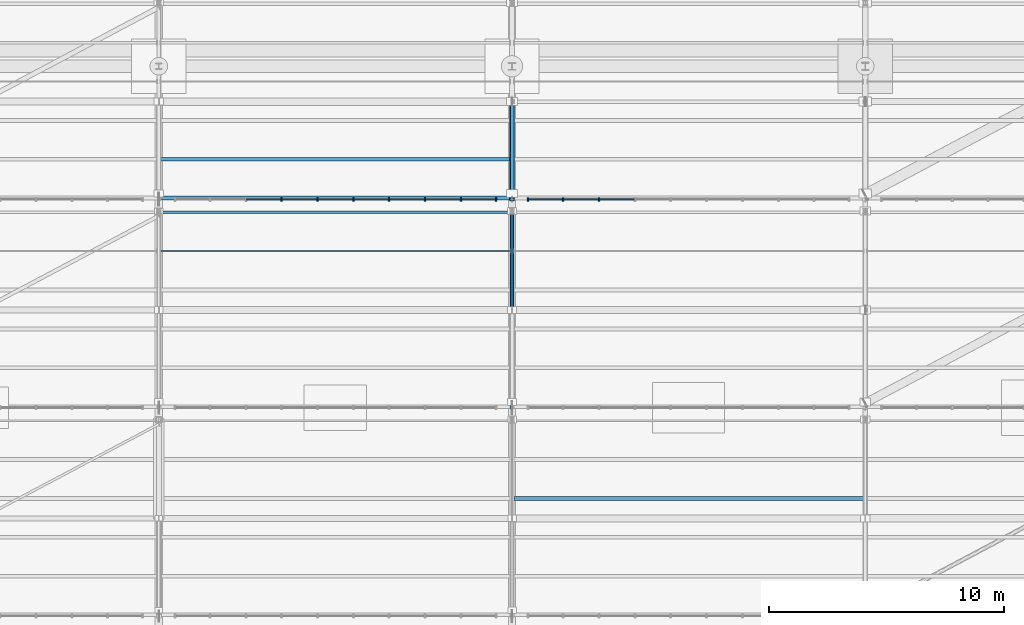
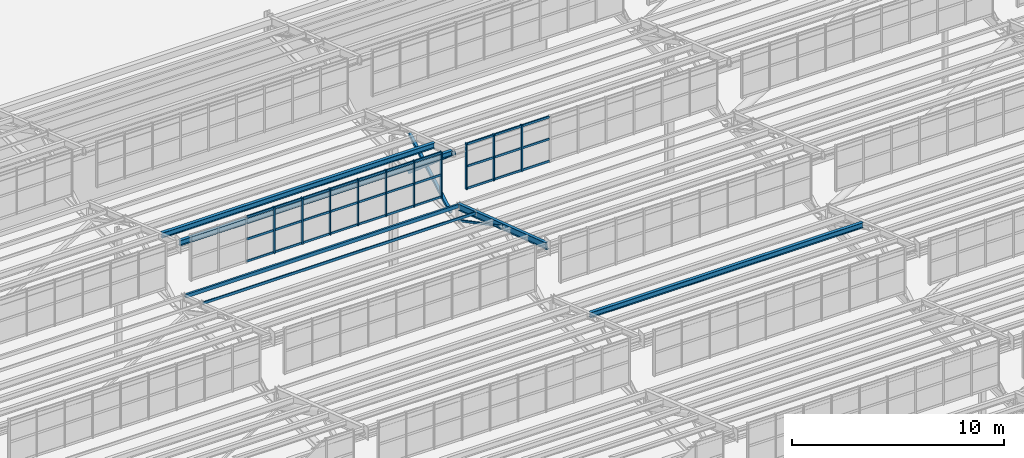
# One storey, part 94 of 285: 43 members, 6 beams, 2 elements without a shape of their own.
"""IFC4 building model written with IfcOpenShell, lengths in metres."""

from ifc_helpers import new_model, si_unit, direction, frame, origin, origin_2d, place, context, subcontext, project, spatial, rectangle, hollow_rectangle, i_section, extrude, material, material_profile, profile_set, type_object, element, aggregate, save


model = new_model("IFC4")

# Units and contexts
model_context = context("Model", 3, precision=1e-05, world=origin(), true_north=direction((0.0, 1.0)))
body_context = subcontext(model_context, "Body", "Model", "MODEL_VIEW")
ifc_project = project(units=[si_unit("LENGTHUNIT", "METRE"), si_unit("AREAUNIT", "SQUARE_METRE"), si_unit("VOLUMEUNIT", "CUBIC_METRE"), si_unit("PLANEANGLEUNIT", "RADIAN"), si_unit("MASSUNIT", "GRAM", prefix="KILO")], contexts=[model_context])

# Site, building, storey
site_placement = place(None, origin())
site = spatial("IfcSite", under=ifc_project, at=site_placement, CompositionType="ELEMENT")
building_placement = place(site_placement, origin())
building = spatial("IfcBuilding", under=site, at=building_placement, Name="Solanera Park Tramway Depot", CompositionType="ELEMENT")
storey_placement = place(building_placement, origin())
storey = spatial("IfcBuildingStorey", under=building, at=storey_placement, Name="L00", CompositionType="ELEMENT", Elevation=0.0)

# Curtain wall, members
ifc_material_1 = material(Name="Bronze-anodised thermally broken aluminium curtain wall", Category="aluminium")
curtain_wall_type = type_object("IfcCurtainWallType", Name="Sawtooth Clerestory Monitor Curtain Wall", PredefinedType="NOTDEFINED", material=ifc_material_1)
curtain_wall_1_placement = place(storey_placement, origin())
curtain_wall_1 = element("IfcCurtainWall", 1, at=curtain_wall_1_placement, inside=storey, type_object=curtain_wall_type, Name="L00 Sawtooth Clerestory Monitor Curtain Wall #047", PredefinedType="NOTDEFINED")
ifc_material_2 = material(Name="Bronze-anodised structural aluminium 6063-T6", Category="aluminium")
ifc_material_profile_1 = material_profile(ifc_material_2, rectangle(XDim=0.06494140625, YDim=0.14990234375, at=origin_2d()), Name="Curtain Wall Mullion 65x150")
ifc_profile_set_1 = profile_set([ifc_material_profile_1], Name="Bronze-anodised structural aluminium 6063-T6")
member_type_1 = type_object("IfcMemberType", Name="Curtain Wall Mullion 65x150", PredefinedType="MULLION", material=ifc_profile_set_1)
member_1_placement = place(storey_placement, frame((65.216796875, 108.85009765625, 7.75), z_axis=(0.0, 0.0, 1.0), x_axis=(1.0, 0.0, 0.0)))
member_1 = element("IfcMember", 2, at=member_1_placement, type_object=member_type_1, Name="CW-L00-047 Mullion 4", PredefinedType="MULLION", context=body_context, shape_type="SweptSolid", body=[
    extrude(rectangle(XDim=0.06494140625, YDim=0.14990234375, at=origin_2d()), origin(), (0.0, 0.0, 1.0), 2.6611328125),
])
member_2_placement = place(storey_placement, frame((66.739013671875, 108.85009765625, 7.75), z_axis=(0.0, 0.0, 1.0), x_axis=(1.0, 0.0, 0.0)))
member_2 = element("IfcMember", 3, at=member_2_placement, type_object=member_type_1, Name="CW-L00-047 Mullion 5", PredefinedType="MULLION", context=body_context, shape_type="SweptSolid", body=[
    extrude(rectangle(XDim=0.06494140625, YDim=0.14990234375, at=origin_2d()), origin(), (0.0, 0.0, 1.0), 2.6611328125),
])
member_3_placement = place(storey_placement, frame((68.260986328125, 108.85009765625, 7.75), z_axis=(0.0, 0.0, 1.0), x_axis=(1.0, 0.0, 0.0)))
member_3 = element("IfcMember", 4, at=member_3_placement, type_object=member_type_1, Name="CW-L00-047 Mullion 6", PredefinedType="MULLION", context=body_context, shape_type="SweptSolid", body=[
    extrude(rectangle(XDim=0.06494140625, YDim=0.14990234375, at=origin_2d()), origin(), (0.0, 0.0, 1.0), 2.6611328125),
])
member_4_placement = place(storey_placement, frame((69.783203125, 108.85009765625, 7.75), z_axis=(0.0, 0.0, 1.0), x_axis=(1.0, 0.0, 0.0)))
member_4 = element("IfcMember", 5, at=member_4_placement, type_object=member_type_1, Name="CW-L00-047 Mullion 7", PredefinedType="MULLION", context=body_context, shape_type="SweptSolid", body=[
    extrude(rectangle(XDim=0.06494140625, YDim=0.14990234375, at=origin_2d()), origin(), (0.0, 0.0, 1.0), 2.6611328125),
])
member_5_placement = place(storey_placement, frame((71.3056640625, 108.85009765625, 7.75), z_axis=(0.0, 0.0, 1.0), x_axis=(1.0, 0.0, 0.0)))
member_5 = element("IfcMember", 6, at=member_5_placement, type_object=member_type_1, Name="CW-L00-047 Mullion 8", PredefinedType="MULLION", context=body_context, shape_type="SweptSolid", body=[
    extrude(rectangle(XDim=0.06494140625, YDim=0.14990234375, at=origin_2d()), origin(), (0.0, 0.0, 1.0), 2.6611328125),
])
member_6_placement = place(storey_placement, frame((72.827880859375, 108.85009765625, 7.75), z_axis=(0.0, 0.0, 1.0), x_axis=(1.0, 0.0, 0.0)))
member_6 = element("IfcMember", 7, at=member_6_placement, type_object=member_type_1, Name="CW-L00-047 Mullion 9", PredefinedType="MULLION", context=body_context, shape_type="SweptSolid", body=[
    extrude(rectangle(XDim=0.06494140625, YDim=0.14990234375, at=origin_2d()), origin(), (0.0, 0.0, 1.0), 2.6611328125),
])
member_7_placement = place(storey_placement, frame((74.3173828125, 108.85009765625, 7.75), z_axis=(0.0, 0.0, 1.0), x_axis=(1.0, 0.0, 0.0)))
member_7 = element("IfcMember", 8, at=member_7_placement, type_object=member_type_1, Name="CW-L00-047 Mullion 10", PredefinedType="MULLION", context=body_context, shape_type="SweptSolid", body=[
    extrude(rectangle(XDim=0.06494140625, YDim=0.14990234375, at=origin_2d()), origin(), (0.0, 0.0, 1.0), 2.6611328125),
])

curtain_wall_2_placement = place(storey_placement, origin())
curtain_wall_2 = element("IfcCurtainWall", 9, at=curtain_wall_2_placement, inside=storey, type_object=curtain_wall_type, Name="L00 Sawtooth Clerestory Monitor Curtain Wall #048", PredefinedType="NOTDEFINED")
member_8_placement = place(storey_placement, frame((75.6826171875, 108.85009765625, 7.75), z_axis=(0.0, 0.0, 1.0), x_axis=(1.0, 0.0, 0.0)))
member_8 = element("IfcMember", 10, at=member_8_placement, type_object=member_type_1, Name="CW-L00-048 Mullion 1", PredefinedType="MULLION", context=body_context, shape_type="SweptSolid", body=[
    extrude(rectangle(XDim=0.06494140625, YDim=0.14990234375, at=origin_2d()), origin(), (0.0, 0.0, 1.0), 2.6611328125),
])
member_9_placement = place(storey_placement, frame((77.172119140625, 108.85009765625, 7.75), z_axis=(0.0, 0.0, 1.0), x_axis=(1.0, 0.0, 0.0)))
member_9 = element("IfcMember", 11, at=member_9_placement, type_object=member_type_1, Name="CW-L00-048 Mullion 2", PredefinedType="MULLION", context=body_context, shape_type="SweptSolid", body=[
    extrude(rectangle(XDim=0.06494140625, YDim=0.14990234375, at=origin_2d()), origin(), (0.0, 0.0, 1.0), 2.6611328125),
])
member_10_placement = place(storey_placement, frame((78.6943359375, 108.85009765625, 7.75), z_axis=(0.0, 0.0, 1.0), x_axis=(1.0, 0.0, 0.0)))
member_10 = element("IfcMember", 12, at=member_10_placement, type_object=member_type_1, Name="CW-L00-048 Mullion 3", PredefinedType="MULLION", context=body_context, shape_type="SweptSolid", body=[
    extrude(rectangle(XDim=0.06494140625, YDim=0.14990234375, at=origin_2d()), origin(), (0.0, 0.0, 1.0), 2.6611328125),
])

# Member
ifc_material_3 = material(Name="Bronze-anodised structural aluminium 6063-T6", Category="aluminium")
ifc_material_profile_2 = material_profile(ifc_material_3, rectangle(XDim=0.06494140625, YDim=0.1201171875, at=origin_2d()), Name="Curtain Wall Transom 65x120")
ifc_profile_set_2 = profile_set([ifc_material_profile_2], Name="Bronze-anodised structural aluminium 6063-T6")
member_type_2 = type_object("IfcMemberType", Name="Curtain Wall Transom 65x120", PredefinedType="USERDEFINED", material=ifc_profile_set_2)
member_11_placement = place(storey_placement, frame((63.722412109375, 108.85009765625, 7.81005859375), z_axis=(1.0, 0.0, 0.0), x_axis=(0.0, 1.0, 0.0)))
member_11 = element("IfcMember", 13, at=member_11_placement, type_object=member_type_2, Name="CW-L00-047 Transom R1.C3", ObjectType="TRANSOM", PredefinedType="USERDEFINED", context=body_context, shape_type="SweptSolid", body=[
    extrude(rectangle(XDim=0.06494140625, YDim=0.1201171875, at=origin_2d()), origin(), (0.0, 0.0, 1.0), 1.46630859375),
])

member_12_placement = place(storey_placement, frame((65.24462890625, 108.85009765625, 7.81005859375), z_axis=(1.0, 0.0, 0.0), x_axis=(0.0, 1.0, 0.0)))
member_12 = element("IfcMember", 14, at=member_12_placement, type_object=member_type_2, Name="CW-L00-047 Transom R1.C4", ObjectType="TRANSOM", PredefinedType="USERDEFINED", context=body_context, shape_type="SweptSolid", body=[
    extrude(rectangle(XDim=0.06494140625, YDim=0.1201171875, at=origin_2d()), origin(), (0.0, 0.0, 1.0), 1.46630859375),
])

member_13_placement = place(storey_placement, frame((66.766845703125, 108.85009765625, 7.81005859375), z_axis=(1.0, 0.0, 0.0), x_axis=(0.0, 1.0, 0.0)))
member_13 = element("IfcMember", 15, at=member_13_placement, type_object=member_type_2, Name="CW-L00-047 Transom R1.C5", ObjectType="TRANSOM", PredefinedType="USERDEFINED", context=body_context, shape_type="SweptSolid", body=[
    extrude(rectangle(XDim=0.06494140625, YDim=0.1201171875, at=origin_2d()), origin(), (0.0, 0.0, 1.0), 1.46630859375),
])

member_14_placement = place(storey_placement, frame((68.2890625, 108.85009765625, 7.81005859375), z_axis=(1.0, 0.0, 0.0), x_axis=(0.0, 1.0, 0.0)))
member_14 = element("IfcMember", 16, at=member_14_placement, type_object=member_type_2, Name="CW-L00-047 Transom R1.C6", ObjectType="TRANSOM", PredefinedType="USERDEFINED", context=body_context, shape_type="SweptSolid", body=[
    extrude(rectangle(XDim=0.06494140625, YDim=0.1201171875, at=origin_2d()), origin(), (0.0, 0.0, 1.0), 1.46630859375),
])

member_15_placement = place(storey_placement, frame((69.811279296875, 108.85009765625, 7.81005859375), z_axis=(1.0, 0.0, 0.0), x_axis=(0.0, 1.0, 0.0)))
member_15 = element("IfcMember", 17, at=member_15_placement, type_object=member_type_2, Name="CW-L00-047 Transom R1.C7", ObjectType="TRANSOM", PredefinedType="USERDEFINED", context=body_context, shape_type="SweptSolid", body=[
    extrude(rectangle(XDim=0.06494140625, YDim=0.1201171875, at=origin_2d()), origin(), (0.0, 0.0, 1.0), 1.46630859375),
])

member_16_placement = place(storey_placement, frame((71.33349609375, 108.85009765625, 7.81005859375), z_axis=(1.0, 0.0, 0.0), x_axis=(0.0, 1.0, 0.0)))
member_16 = element("IfcMember", 18, at=member_16_placement, type_object=member_type_2, Name="CW-L00-047 Transom R1.C8", ObjectType="TRANSOM", PredefinedType="USERDEFINED", context=body_context, shape_type="SweptSolid", body=[
    extrude(rectangle(XDim=0.06494140625, YDim=0.1201171875, at=origin_2d()), origin(), (0.0, 0.0, 1.0), 1.46630859375),
])

member_17_placement = place(storey_placement, frame((72.855712890625, 108.85009765625, 7.81005859375), z_axis=(1.0, 0.0, 0.0), x_axis=(0.0, 1.0, 0.0)))
member_17 = element("IfcMember", 19, at=member_17_placement, type_object=member_type_2, Name="CW-L00-047 Transom R1.C9", ObjectType="TRANSOM", PredefinedType="USERDEFINED", context=body_context, shape_type="SweptSolid", body=[
    extrude(rectangle(XDim=0.06494140625, YDim=0.1201171875, at=origin_2d()), origin(), (0.0, 0.0, 1.0), 1.433837890625),
])

member_18_placement = place(storey_placement, frame((63.722412109375, 108.85009765625, 9.08056640625), z_axis=(1.0, 0.0, 0.0), x_axis=(0.0, 1.0, 0.0)))
member_18 = element("IfcMember", 20, at=member_18_placement, type_object=member_type_2, Name="CW-L00-047 Transom R2.C3", ObjectType="TRANSOM", PredefinedType="USERDEFINED", context=body_context, shape_type="SweptSolid", body=[
    extrude(rectangle(XDim=0.06494140625, YDim=0.1201171875, at=origin_2d()), origin(), (0.0, 0.0, 1.0), 1.46630859375),
])

member_19_placement = place(storey_placement, frame((65.24462890625, 108.85009765625, 9.08056640625), z_axis=(1.0, 0.0, 0.0), x_axis=(0.0, 1.0, 0.0)))
member_19 = element("IfcMember", 21, at=member_19_placement, type_object=member_type_2, Name="CW-L00-047 Transom R2.C4", ObjectType="TRANSOM", PredefinedType="USERDEFINED", context=body_context, shape_type="SweptSolid", body=[
    extrude(rectangle(XDim=0.06494140625, YDim=0.1201171875, at=origin_2d()), origin(), (0.0, 0.0, 1.0), 1.46630859375),
])

member_20_placement = place(storey_placement, frame((66.766845703125, 108.85009765625, 9.08056640625), z_axis=(1.0, 0.0, 0.0), x_axis=(0.0, 1.0, 0.0)))
member_20 = element("IfcMember", 22, at=member_20_placement, type_object=member_type_2, Name="CW-L00-047 Transom R2.C5", ObjectType="TRANSOM", PredefinedType="USERDEFINED", context=body_context, shape_type="SweptSolid", body=[
    extrude(rectangle(XDim=0.06494140625, YDim=0.1201171875, at=origin_2d()), origin(), (0.0, 0.0, 1.0), 1.46630859375),
])

member_21_placement = place(storey_placement, frame((68.2890625, 108.85009765625, 9.08056640625), z_axis=(1.0, 0.0, 0.0), x_axis=(0.0, 1.0, 0.0)))
member_21 = element("IfcMember", 23, at=member_21_placement, type_object=member_type_2, Name="CW-L00-047 Transom R2.C6", ObjectType="TRANSOM", PredefinedType="USERDEFINED", context=body_context, shape_type="SweptSolid", body=[
    extrude(rectangle(XDim=0.06494140625, YDim=0.1201171875, at=origin_2d()), origin(), (0.0, 0.0, 1.0), 1.46630859375),
])

member_22_placement = place(storey_placement, frame((69.811279296875, 108.85009765625, 9.08056640625), z_axis=(1.0, 0.0, 0.0), x_axis=(0.0, 1.0, 0.0)))
member_22 = element("IfcMember", 24, at=member_22_placement, type_object=member_type_2, Name="CW-L00-047 Transom R2.C7", ObjectType="TRANSOM", PredefinedType="USERDEFINED", context=body_context, shape_type="SweptSolid", body=[
    extrude(rectangle(XDim=0.06494140625, YDim=0.1201171875, at=origin_2d()), origin(), (0.0, 0.0, 1.0), 1.46630859375),
])

member_23_placement = place(storey_placement, frame((71.33349609375, 108.85009765625, 9.08056640625), z_axis=(1.0, 0.0, 0.0), x_axis=(0.0, 1.0, 0.0)))
member_23 = element("IfcMember", 25, at=member_23_placement, type_object=member_type_2, Name="CW-L00-047 Transom R2.C8", ObjectType="TRANSOM", PredefinedType="USERDEFINED", context=body_context, shape_type="SweptSolid", body=[
    extrude(rectangle(XDim=0.06494140625, YDim=0.1201171875, at=origin_2d()), origin(), (0.0, 0.0, 1.0), 1.46630859375),
])

member_24_placement = place(storey_placement, frame((72.855712890625, 108.85009765625, 9.08056640625), z_axis=(1.0, 0.0, 0.0), x_axis=(0.0, 1.0, 0.0)))
member_24 = element("IfcMember", 26, at=member_24_placement, type_object=member_type_2, Name="CW-L00-047 Transom R2.C9", ObjectType="TRANSOM", PredefinedType="USERDEFINED", context=body_context, shape_type="SweptSolid", body=[
    extrude(rectangle(XDim=0.06494140625, YDim=0.1201171875, at=origin_2d()), origin(), (0.0, 0.0, 1.0), 1.433837890625),
])

member_25_placement = place(storey_placement, frame((63.722412109375, 108.85009765625, 10.351318359375), z_axis=(1.0, 0.0, 0.0), x_axis=(0.0, 1.0, 0.0)))
member_25 = element("IfcMember", 27, at=member_25_placement, type_object=member_type_2, Name="CW-L00-047 Transom R3.C3", ObjectType="TRANSOM", PredefinedType="USERDEFINED", context=body_context, shape_type="SweptSolid", body=[
    extrude(rectangle(XDim=0.06494140625, YDim=0.1201171875, at=origin_2d()), origin(), (0.0, 0.0, 1.0), 1.46630859375),
])

member_26_placement = place(storey_placement, frame((65.24462890625, 108.85009765625, 10.351318359375), z_axis=(1.0, 0.0, 0.0), x_axis=(0.0, 1.0, 0.0)))
member_26 = element("IfcMember", 28, at=member_26_placement, type_object=member_type_2, Name="CW-L00-047 Transom R3.C4", ObjectType="TRANSOM", PredefinedType="USERDEFINED", context=body_context, shape_type="SweptSolid", body=[
    extrude(rectangle(XDim=0.06494140625, YDim=0.1201171875, at=origin_2d()), origin(), (0.0, 0.0, 1.0), 1.46630859375),
])

member_27_placement = place(storey_placement, frame((66.766845703125, 108.85009765625, 10.351318359375), z_axis=(1.0, 0.0, 0.0), x_axis=(0.0, 1.0, 0.0)))
member_27 = element("IfcMember", 29, at=member_27_placement, type_object=member_type_2, Name="CW-L00-047 Transom R3.C5", ObjectType="TRANSOM", PredefinedType="USERDEFINED", context=body_context, shape_type="SweptSolid", body=[
    extrude(rectangle(XDim=0.06494140625, YDim=0.1201171875, at=origin_2d()), origin(), (0.0, 0.0, 1.0), 1.46630859375),
])

member_28_placement = place(storey_placement, frame((68.2890625, 108.85009765625, 10.351318359375), z_axis=(1.0, 0.0, 0.0), x_axis=(0.0, 1.0, 0.0)))
member_28 = element("IfcMember", 30, at=member_28_placement, type_object=member_type_2, Name="CW-L00-047 Transom R3.C6", ObjectType="TRANSOM", PredefinedType="USERDEFINED", context=body_context, shape_type="SweptSolid", body=[
    extrude(rectangle(XDim=0.06494140625, YDim=0.1201171875, at=origin_2d()), origin(), (0.0, 0.0, 1.0), 1.46630859375),
])

member_29_placement = place(storey_placement, frame((69.811279296875, 108.85009765625, 10.351318359375), z_axis=(1.0, 0.0, 0.0), x_axis=(0.0, 1.0, 0.0)))
member_29 = element("IfcMember", 31, at=member_29_placement, type_object=member_type_2, Name="CW-L00-047 Transom R3.C7", ObjectType="TRANSOM", PredefinedType="USERDEFINED", context=body_context, shape_type="SweptSolid", body=[
    extrude(rectangle(XDim=0.06494140625, YDim=0.1201171875, at=origin_2d()), origin(), (0.0, 0.0, 1.0), 1.46630859375),
])

member_30_placement = place(storey_placement, frame((71.33349609375, 108.85009765625, 10.351318359375), z_axis=(1.0, 0.0, 0.0), x_axis=(0.0, 1.0, 0.0)))
member_30 = element("IfcMember", 32, at=member_30_placement, type_object=member_type_2, Name="CW-L00-047 Transom R3.C8", ObjectType="TRANSOM", PredefinedType="USERDEFINED", context=body_context, shape_type="SweptSolid", body=[
    extrude(rectangle(XDim=0.06494140625, YDim=0.1201171875, at=origin_2d()), origin(), (0.0, 0.0, 1.0), 1.46630859375),
])

member_31_placement = place(storey_placement, frame((72.855712890625, 108.85009765625, 10.351318359375), z_axis=(1.0, 0.0, 0.0), x_axis=(0.0, 1.0, 0.0)))
member_31 = element("IfcMember", 33, at=member_31_placement, type_object=member_type_2, Name="CW-L00-047 Transom R3.C9", ObjectType="TRANSOM", PredefinedType="USERDEFINED", context=body_context, shape_type="SweptSolid", body=[
    extrude(rectangle(XDim=0.06494140625, YDim=0.1201171875, at=origin_2d()), origin(), (0.0, 0.0, 1.0), 1.433837890625),
])

aggregate(curtain_wall_1, [member_1, member_2, member_3, member_4, member_5, member_6, member_7, member_11, member_12, member_13, member_14, member_15, member_16, member_17, member_18, member_19, member_20, member_21, member_22, member_23, member_24, member_25, member_26, member_27, member_28, member_29, member_30, member_31])

member_32_placement = place(storey_placement, frame((75.71044921875, 108.85009765625, 7.81005859375), z_axis=(1.0, 0.0, 0.0), x_axis=(0.0, 1.0, 0.0)))
member_32 = element("IfcMember", 34, at=member_32_placement, type_object=member_type_2, Name="CW-L00-048 Transom R1.C1", ObjectType="TRANSOM", PredefinedType="USERDEFINED", context=body_context, shape_type="SweptSolid", body=[
    extrude(rectangle(XDim=0.06494140625, YDim=0.1201171875, at=origin_2d()), origin(), (0.0, 0.0, 1.0), 1.433837890625),
])

member_33_placement = place(storey_placement, frame((77.2001953125, 108.85009765625, 7.81005859375), z_axis=(1.0, 0.0, 0.0), x_axis=(0.0, 1.0, 0.0)))
member_33 = element("IfcMember", 35, at=member_33_placement, type_object=member_type_2, Name="CW-L00-048 Transom R1.C2", ObjectType="TRANSOM", PredefinedType="USERDEFINED", context=body_context, shape_type="SweptSolid", body=[
    extrude(rectangle(XDim=0.06494140625, YDim=0.1201171875, at=origin_2d()), origin(), (0.0, 0.0, 1.0), 1.46630859375),
])

member_34_placement = place(storey_placement, frame((78.722412109375, 108.85009765625, 7.81005859375), z_axis=(1.0, 0.0, 0.0), x_axis=(0.0, 1.0, 0.0)))
member_34 = element("IfcMember", 36, at=member_34_placement, type_object=member_type_2, Name="CW-L00-048 Transom R1.C3", ObjectType="TRANSOM", PredefinedType="USERDEFINED", context=body_context, shape_type="SweptSolid", body=[
    extrude(rectangle(XDim=0.06494140625, YDim=0.1201171875, at=origin_2d()), origin(), (0.0, 0.0, 1.0), 1.46630859375),
])

member_35_placement = place(storey_placement, frame((75.71044921875, 108.85009765625, 9.08056640625), z_axis=(1.0, 0.0, 0.0), x_axis=(0.0, 1.0, 0.0)))
member_35 = element("IfcMember", 37, at=member_35_placement, type_object=member_type_2, Name="CW-L00-048 Transom R2.C1", ObjectType="TRANSOM", PredefinedType="USERDEFINED", context=body_context, shape_type="SweptSolid", body=[
    extrude(rectangle(XDim=0.06494140625, YDim=0.1201171875, at=origin_2d()), origin(), (0.0, 0.0, 1.0), 1.433837890625),
])

member_36_placement = place(storey_placement, frame((77.2001953125, 108.85009765625, 9.08056640625), z_axis=(1.0, 0.0, 0.0), x_axis=(0.0, 1.0, 0.0)))
member_36 = element("IfcMember", 38, at=member_36_placement, type_object=member_type_2, Name="CW-L00-048 Transom R2.C2", ObjectType="TRANSOM", PredefinedType="USERDEFINED", context=body_context, shape_type="SweptSolid", body=[
    extrude(rectangle(XDim=0.06494140625, YDim=0.1201171875, at=origin_2d()), origin(), (0.0, 0.0, 1.0), 1.46630859375),
])

member_37_placement = place(storey_placement, frame((78.722412109375, 108.85009765625, 9.08056640625), z_axis=(1.0, 0.0, 0.0), x_axis=(0.0, 1.0, 0.0)))
member_37 = element("IfcMember", 39, at=member_37_placement, type_object=member_type_2, Name="CW-L00-048 Transom R2.C3", ObjectType="TRANSOM", PredefinedType="USERDEFINED", context=body_context, shape_type="SweptSolid", body=[
    extrude(rectangle(XDim=0.06494140625, YDim=0.1201171875, at=origin_2d()), origin(), (0.0, 0.0, 1.0), 1.46630859375),
])

member_38_placement = place(storey_placement, frame((75.71044921875, 108.85009765625, 10.351318359375), z_axis=(1.0, 0.0, 0.0), x_axis=(0.0, 1.0, 0.0)))
member_38 = element("IfcMember", 40, at=member_38_placement, type_object=member_type_2, Name="CW-L00-048 Transom R3.C1", ObjectType="TRANSOM", PredefinedType="USERDEFINED", context=body_context, shape_type="SweptSolid", body=[
    extrude(rectangle(XDim=0.06494140625, YDim=0.1201171875, at=origin_2d()), origin(), (0.0, 0.0, 1.0), 1.433837890625),
])

member_39_placement = place(storey_placement, frame((77.2001953125, 108.85009765625, 10.351318359375), z_axis=(1.0, 0.0, 0.0), x_axis=(0.0, 1.0, 0.0)))
member_39 = element("IfcMember", 41, at=member_39_placement, type_object=member_type_2, Name="CW-L00-048 Transom R3.C2", ObjectType="TRANSOM", PredefinedType="USERDEFINED", context=body_context, shape_type="SweptSolid", body=[
    extrude(rectangle(XDim=0.06494140625, YDim=0.1201171875, at=origin_2d()), origin(), (0.0, 0.0, 1.0), 1.46630859375),
])

member_40_placement = place(storey_placement, frame((78.722412109375, 108.85009765625, 10.351318359375), z_axis=(1.0, 0.0, 0.0), x_axis=(0.0, 1.0, 0.0)))
member_40 = element("IfcMember", 42, at=member_40_placement, type_object=member_type_2, Name="CW-L00-048 Transom R3.C3", ObjectType="TRANSOM", PredefinedType="USERDEFINED", context=body_context, shape_type="SweptSolid", body=[
    extrude(rectangle(XDim=0.06494140625, YDim=0.1201171875, at=origin_2d()), origin(), (0.0, 0.0, 1.0), 1.46630859375),
])

aggregate(curtain_wall_2, [member_8, member_9, member_10, member_32, member_33, member_34, member_35, member_36, member_37, member_38, member_39, member_40])

ifc_material_4 = material(Name="Steel AS/NZS 1163 Grade C350L0", Category="steel")
ifc_material_profile_3 = material_profile(ifc_material_4, hollow_rectangle(XDim=0.14990234375, YDim=0.14990234375, WallThickness=0.006103515625, at=origin_2d()), Name="150x150x6.0 SHS")
ifc_profile_set_3 = profile_set([ifc_material_profile_3], Name="Steel AS/NZS 1163 Grade C350L0")
member_type_3 = type_object("IfcMemberType", Name="Roof Gantry Compression Strut 150x150x6.0 SHS", PredefinedType="STRUT", material=ifc_profile_set_3)
member_41_placement = place(storey_placement, frame((75.0, 109.10009765625, 6.5), z_axis=(0.0, 0.871630906744, 0.490162791742), x_axis=(-1.0, 0.0, 0.0)))
element("IfcMember", 43, at=member_41_placement, inside=storey, type_object=member_type_3, Name="Sawtooth ROOF TRUSS Strut 150x150x6.0 SHS #0290", PredefinedType="STRUT", context=body_context, shape_type="SweptSolid", body=[
    extrude(hollow_rectangle(XDim=0.14990234375, YDim=0.14990234375, WallThickness=0.006103515625, at=origin_2d()), origin(), (0.0, 0.0, 1.0), 4.474365234375),
])

# Beams
ifc_material_5 = material(Name="Steel AS/NZS 3679.1 Grade 350", Category="steel")
ifc_material_profile_4 = material_profile(ifc_material_5, i_section(OverallWidth=0.17138671875, OverallDepth=0.355712890625, WebThickness=0.00732421875, FlangeThickness=0.011474609375, at=origin_2d()), Name="360UB50.7")
ifc_profile_set_4 = profile_set([ifc_material_profile_4], Name="Steel AS/NZS 3679.1 Grade 350")
beam_type_1 = type_object("IfcBeamType", Name="Steel Beam 360UB50.7", PredefinedType="BEAM", material=ifc_profile_set_4)
beam_1_placement = place(storey_placement, frame((75.0, 100.0, 10.10693359375), z_axis=(0.0, 0.948322229475, -0.317308917435), x_axis=(-1.0, 0.0, 0.0)))
element("IfcBeam", 44, at=beam_1_placement, inside=storey, type_object=beam_type_1, Name="Sawtooth ROOF TRUSS Top Rafter 360UB50.7 B06-T6", PredefinedType="BEAM", context=body_context, shape_type="SweptSolid", body=[
    extrude(i_section(OverallWidth=0.17138671875, OverallDepth=0.355712890625, WebThickness=0.00732421875, FlangeThickness=0.011474609375, at=origin_2d()), origin(), (0.0, 0.0, 1.0), 8.80517578125),
])
ifc_material_6 = material(Name="Steel AS/NZS 1163 Grade C350L0", Category="steel")
ifc_material_profile_5 = material_profile(ifc_material_6, hollow_rectangle(XDim=0.050048828125, YDim=0.14990234375, WallThickness=0.0048828125, at=origin_2d()), Name="150x50x5.0 RHS")
ifc_profile_set_5 = profile_set([ifc_material_profile_5], Name="Steel AS/NZS 1163 Grade C350L0")
beam_type_2 = type_object("IfcBeamType", Name="Steel Joist Purlin 150x50x5.0 RHS", PredefinedType="JOIST", material=ifc_profile_set_5)
beam_2_placement = place(storey_placement, frame((60.074951171875, 106.64990234375, 7.998291015625), z_axis=(1.0, 0.0, 0.0), x_axis=(0.0, 1.0, 0.0)))
element("IfcBeam", 45, at=beam_2_placement, inside=storey, type_object=beam_type_2, Name="Sawtooth Roof Purlin 150x50x5.0 RHS B06.5", PredefinedType="JOIST", context=body_context, shape_type="SweptSolid", body=[
    extrude(hollow_rectangle(XDim=0.050048828125, YDim=0.14990234375, WallThickness=0.0048828125, at=origin_2d()), origin(), (0.0, 0.0, 1.0), 14.84716796875),
])
ifc_material_7 = material(Name="Steel AS/NZS 1163 Grade C350L0", Category="steel")
ifc_material_profile_6 = material_profile(ifc_material_7, hollow_rectangle(XDim=0.10009765625, YDim=0.199951171875, WallThickness=0.006103515625, at=origin_2d()), Name="200x100x6.0 RHS")
ifc_profile_set_6 = profile_set([ifc_material_profile_6], Name="Steel AS/NZS 1163 Grade C350L0")
beam_type_3 = type_object("IfcBeamType", Name="Steel Joist Purlin 200x100x6.0 RHS", PredefinedType="JOIST", material=ifc_profile_set_6)
beam_3_placement = place(storey_placement, frame((60.074951171875, 108.300048828125, 7.412841796875), z_axis=(1.0, 0.0, 0.0), x_axis=(0.0, 1.0, 0.0)))
element("IfcBeam", 46, at=beam_3_placement, inside=storey, type_object=beam_type_3, Name="Sawtooth Roof Purlin 200x100x6.0 RHS B06.6", PredefinedType="JOIST", context=body_context, shape_type="SweptSolid", body=[
    extrude(hollow_rectangle(XDim=0.10009765625, YDim=0.199951171875, WallThickness=0.006103515625, at=origin_2d()), origin(), (0.0, 0.0, 1.0), 14.84716796875),
])
ifc_material_8 = material(Name="Steel AS/NZS 3679.1 Grade 350", Category="steel")
ifc_material_profile_7 = material_profile(ifc_material_8, i_section(OverallWidth=0.1650390625, OverallDepth=0.3037109375, WebThickness=0.006103515625, FlangeThickness=0.01025390625, at=origin_2d()), Name="310UB40.4")
ifc_profile_set_7 = profile_set([ifc_material_profile_7], Name="Steel AS/NZS 3679.1 Grade 350")
beam_type_4 = type_object("IfcBeamType", Name="Steel Joist Purlin 310UB40.4", PredefinedType="JOIST", material=ifc_profile_set_7)
beam_4_placement = place(storey_placement, frame((60.077880859375, 108.89990234375, 10.110595703125), z_axis=(1.0, 0.0, 0.0), x_axis=(0.0, 1.0, 0.0)))
element("IfcBeam", 47, at=beam_4_placement, inside=storey, type_object=beam_type_4, Name="Sawtooth Roof Purlin 310UB40.4 B07.1", PredefinedType="JOIST", context=body_context, shape_type="SweptSolid", body=[
    extrude(i_section(OverallWidth=0.1650390625, OverallDepth=0.3037109375, WebThickness=0.006103515625, FlangeThickness=0.01025390625, at=origin_2d()), origin(), (0.0, 0.0, 1.0), 14.84130859375),
])
ifc_material_9 = material(Name="Steel AS/NZS 3679.1 Grade 350", Category="steel")
ifc_material_profile_8 = material_profile(ifc_material_9, i_section(OverallWidth=0.166015625, OverallDepth=0.30712890625, WebThickness=0.006591796875, FlangeThickness=0.01171875, at=origin_2d()), Name="310UB46.2")
ifc_profile_set_8 = profile_set([ifc_material_profile_8], Name="Steel AS/NZS 3679.1 Grade 350")
beam_type_5 = type_object("IfcBeamType", Name="Steel Joist Purlin 310UB46.2", PredefinedType="JOIST", material=ifc_profile_set_8)
beam_5_placement = place(storey_placement, frame((75.074951171875, 96.14990234375, 8.452392578125), z_axis=(1.0, 0.0, 0.0), x_axis=(0.0, 1.0, 0.0)))
element("IfcBeam", 48, at=beam_5_placement, inside=storey, type_object=beam_type_5, Name="Sawtooth Roof Purlin 310UB46.2 B05.4", PredefinedType="JOIST", context=body_context, shape_type="SweptSolid", body=[
    extrude(i_section(OverallWidth=0.166015625, OverallDepth=0.30712890625, WebThickness=0.006591796875, FlangeThickness=0.01171875, at=origin_2d()), origin(), (0.0, 0.0, 1.0), 14.84716796875),
])
beam_6_placement = place(storey_placement, frame((60.077880859375, 110.550048828125, 9.556640625), z_axis=(1.0, 0.0, 0.0), x_axis=(0.0, 1.0, 0.0)))
element("IfcBeam", 49, at=beam_6_placement, inside=storey, type_object=beam_type_5, Name="Sawtooth Roof Purlin 310UB46.2 B07.2", PredefinedType="JOIST", context=body_context, shape_type="SweptSolid", body=[
    extrude(i_section(OverallWidth=0.166015625, OverallDepth=0.30712890625, WebThickness=0.006591796875, FlangeThickness=0.01171875, at=origin_2d()), origin(), (0.0, 0.0, 1.0), 14.84130859375),
])

# Members
ifc_material_10 = material(Name="Steel AS/NZS 1163 Grade C350L0", Category="steel")
ifc_material_profile_9 = material_profile(ifc_material_10, hollow_rectangle(XDim=0.10009765625, YDim=0.10009765625, WallThickness=0.0048828125, at=origin_2d()), Name="100x100x5.0 SHS")
ifc_profile_set_9 = profile_set([ifc_material_profile_9], Name="Steel AS/NZS 1163 Grade C350L0")
member_type_4 = type_object("IfcMemberType", Name="Truss and Frame Brace 100x100x5.0 SHS", PredefinedType="BRACE", material=ifc_profile_set_9)
member_42_placement = place(storey_placement, frame((75.0, 108.35009765625, 6.5), z_axis=(0.0, -0.88423383461, 0.467044457981), x_axis=(1.0, 0.0, 0.0)))
element("IfcMember", 50, at=member_42_placement, inside=storey, type_object=member_type_4, Name="Sawtooth ROOF TRUSS Diagonal 100x100x5.0 SHS #0242", PredefinedType="BRACE", context=body_context, shape_type="SweptSolid", body=[
    extrude(hollow_rectangle(XDim=0.10009765625, YDim=0.10009765625, WallThickness=0.0048828125, at=origin_2d()), origin(), (0.0, 0.0, 1.0), 4.75),
])
ifc_material_11 = material(Name="Steel AS/NZS 1163 Grade C350L0", Category="steel")
ifc_material_profile_10 = material_profile(ifc_material_11, hollow_rectangle(XDim=0.199951171875, YDim=0.199951171875, WallThickness=0.008056640625, at=origin_2d()), Name="200x200x8.0 SHS")
ifc_profile_set_10 = profile_set([ifc_material_profile_10], Name="Steel AS/NZS 1163 Grade C350L0")
member_type_5 = type_object("IfcMemberType", Name="Truss and Frame Brace 200x200x8.0 SHS", PredefinedType="BRACE", material=ifc_profile_set_10)
member_43_placement = place(storey_placement, frame((75.0, 113.0, 6.5), z_axis=(0.0, -0.757045281618, 0.653362412127), x_axis=(1.0, 0.0, 0.0)))
element("IfcMember", 51, at=member_43_placement, inside=storey, type_object=member_type_5, Name="Sawtooth ROOF TRUSS Web Brace 200x200x8.0 SHS #0288", PredefinedType="BRACE", context=body_context, shape_type="SweptSolid", body=[
    extrude(hollow_rectangle(XDim=0.199951171875, YDim=0.199951171875, WallThickness=0.008056640625, at=origin_2d()), origin(), (0.0, 0.0, 1.0), 5.481689453125),
])

save(model, "model.ifc")
